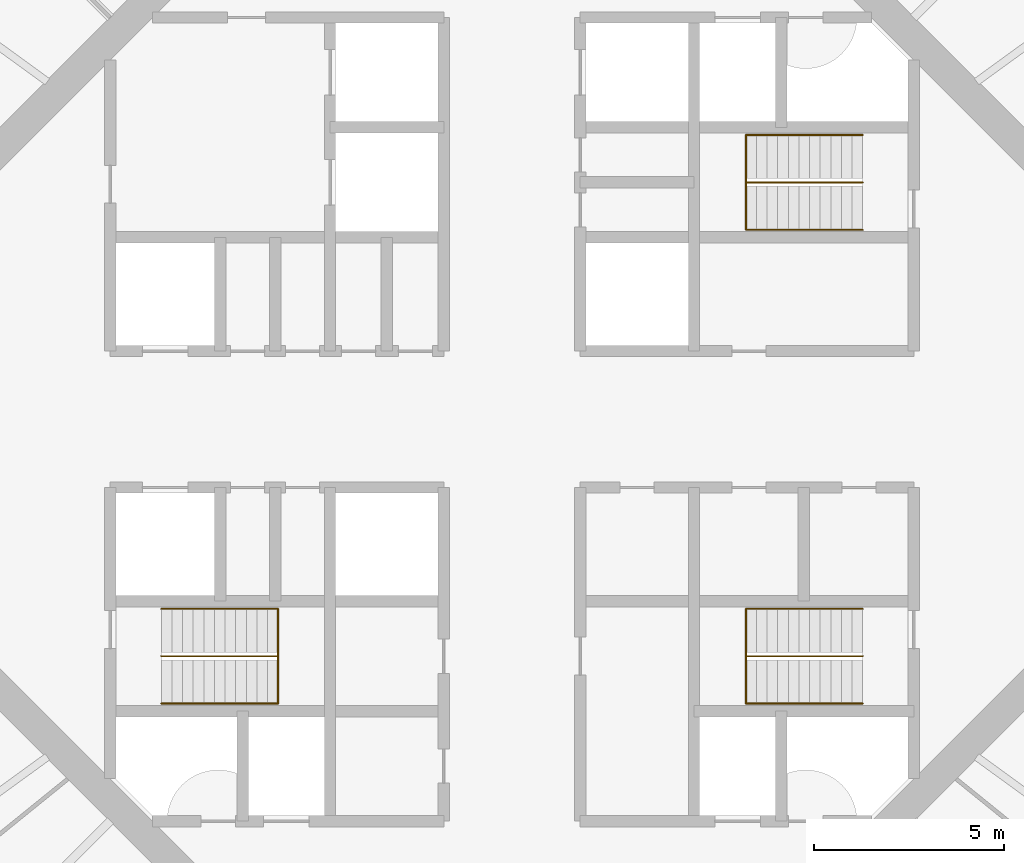
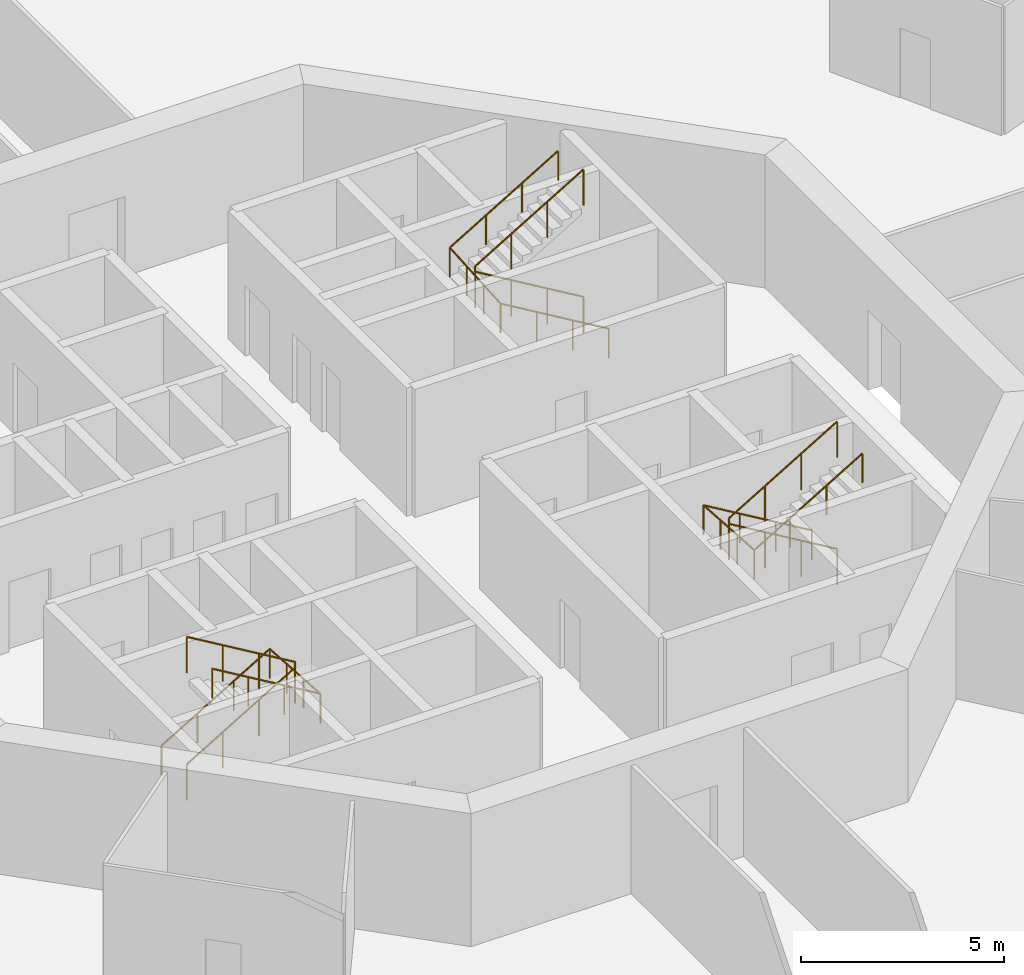
# One storey, part 16 of 16: 6 railings.
"""IFC4 building model written with IfcOpenShell, lengths in metres."""

from ifc_helpers import new_model, si_unit, direction, frame, origin, origin_2d, place, context, subcontext, project, spatial, circle, extrude, material, type_object, element, save


model = new_model("IFC4")

# Units and contexts
model_context = context("Model", 3, precision=1e-05, world=origin(), true_north=direction((0.0, 1.0)))
body_context = subcontext(model_context, "Body", "Model", "MODEL_VIEW")
ifc_project = project(units=[si_unit("LENGTHUNIT", "METRE"), si_unit("AREAUNIT", "SQUARE_METRE"), si_unit("VOLUMEUNIT", "CUBIC_METRE"), si_unit("PLANEANGLEUNIT", "RADIAN"), si_unit("MASSUNIT", "GRAM", prefix="KILO")], contexts=[model_context])

# Site, building, storey
site_placement = place(None, origin())
site = spatial("IfcSite", under=ifc_project, at=site_placement, CompositionType="ELEMENT")
building_placement = place(site_placement, origin())
building = spatial("IfcBuilding", under=site, at=building_placement, Name="Entoto Ring Tower", CompositionType="ELEMENT")
storey_placement = place(building_placement, frame((0.0, 0.0, 326.0)))
storey = spatial("IfcBuildingStorey", under=building, at=storey_placement, Name="L75", CompositionType="ELEMENT", Elevation=326.0)

# Railings
ifc_material_1 = material(Name="Steel S275", Category="steel")
railing_type_1 = type_object("IfcRailingType", Name="Stair guard 1100 mm steel", PredefinedType="GUARDRAIL", material=ifc_material_1)
railing_1_placement = place(storey_placement, frame((99.25, 86.25, 0.166748046875)))
element("IfcRailing", 1, at=railing_1_placement, inside=storey, type_object=railing_type_1, Name="Guard ST1", PredefinedType="GUARDRAIL", context=body_context, shape_type="SweptSolid", body=[
    extrude(circle(Radius=0.02392578125, at=origin_2d()), frame((0.0, 0.0, 1.076171875), z_axis=(-0.859308565015, 0.0, 0.511457515432), x_axis=(0.0, -1.0, 0.0)), (0.0, 0.0, 1.0), 3.58447265625),
    extrude(circle(Radius=0.02392578125, at=origin_2d()), frame((-3.080078125, 0.0, 2.9091796875), z_axis=(0.0, 0.0, 1.0), x_axis=(1.0, 0.0, 0.0)), (0.0, 0.0, 1.0), 0.166748046875),
    extrude(circle(Radius=0.02392578125, at=origin_2d()), frame((-3.080078125, 0.0, 3.076171875), z_axis=(0.859308565015, 0.0, 0.511457515432), x_axis=(0.0, 1.0, 0.0)), (0.0, 0.0, 1.0), 3.58447265625),
    extrude(circle(Radius=0.02099609375, at=origin_2d()), origin(), (0.0, 0.0, 1.0), 1.052001953125),
    extrude(circle(Radius=0.02099609375, at=origin_2d()), frame((-1.026611328125, 0.0, 0.611083984375)), (0.0, 0.0, 1.0), 1.052001953125),
    extrude(circle(Radius=0.02099609375, at=origin_2d()), frame((-2.053466796875, 0.0, 1.22216796875)), (0.0, 0.0, 1.0), 1.052001953125),
    extrude(circle(Radius=0.02099609375, at=origin_2d()), frame((-3.080078125, 0.0, 1.833251953125)), (0.0, 0.0, 1.0), 1.052001953125),
    extrude(circle(Radius=0.02099609375, at=origin_2d()), frame((-3.080078125, 0.0, 2.0)), (0.0, 0.0, 1.0), 1.052001953125),
    extrude(circle(Radius=0.02099609375, at=origin_2d()), frame((-2.053466796875, 0.0, 2.611083984375)), (0.0, 0.0, 1.0), 1.052001953125),
    extrude(circle(Radius=0.02099609375, at=origin_2d()), frame((-1.026611328125, 0.0, 3.22216796875)), (0.0, 0.0, 1.0), 1.052001953125),
    extrude(circle(Radius=0.02099609375, at=origin_2d()), frame((0.0, 0.0, 3.833251953125)), (0.0, 0.0, 1.0), 1.052001953125),
])
railing_2_placement = place(storey_placement, frame((80.75, 73.75, 0.166748046875)))
element("IfcRailing", 2, at=railing_2_placement, inside=storey, type_object=railing_type_1, Name="Guard ST2", PredefinedType="GUARDRAIL", context=body_context, shape_type="SweptSolid", body=[
    extrude(circle(Radius=0.02392578125, at=origin_2d()), frame((0.0, 0.0, 1.076171875), z_axis=(0.859308565015, 0.0, 0.511457515432), x_axis=(0.0, 1.0, 0.0)), (0.0, 0.0, 1.0), 3.58447265625),
    extrude(circle(Radius=0.02392578125, at=origin_2d()), frame((3.080078125, 0.0, 2.9091796875), z_axis=(0.0, 0.0, 1.0), x_axis=(1.0, 0.0, 0.0)), (0.0, 0.0, 1.0), 0.166748046875),
    extrude(circle(Radius=0.02392578125, at=origin_2d()), frame((3.080078125, 0.0, 3.076171875), z_axis=(-0.859308565015, 0.0, 0.511457515432), x_axis=(0.0, -1.0, 0.0)), (0.0, 0.0, 1.0), 3.58447265625),
    extrude(circle(Radius=0.02099609375, at=origin_2d()), origin(), (0.0, 0.0, 1.0), 1.052001953125),
    extrude(circle(Radius=0.02099609375, at=origin_2d()), frame((1.026611328125, 0.0, 0.611083984375)), (0.0, 0.0, 1.0), 1.052001953125),
    extrude(circle(Radius=0.02099609375, at=origin_2d()), frame((2.053466796875, 0.0, 1.22216796875)), (0.0, 0.0, 1.0), 1.052001953125),
    extrude(circle(Radius=0.02099609375, at=origin_2d()), frame((3.080078125, 0.0, 1.833251953125)), (0.0, 0.0, 1.0), 1.052001953125),
    extrude(circle(Radius=0.02099609375, at=origin_2d()), frame((3.080078125, 0.0, 2.0)), (0.0, 0.0, 1.0), 1.052001953125),
    extrude(circle(Radius=0.02099609375, at=origin_2d()), frame((2.053466796875, 0.0, 2.611083984375)), (0.0, 0.0, 1.0), 1.052001953125),
    extrude(circle(Radius=0.02099609375, at=origin_2d()), frame((1.026611328125, 0.0, 3.22216796875)), (0.0, 0.0, 1.0), 1.052001953125),
    extrude(circle(Radius=0.02099609375, at=origin_2d()), frame((0.0, 0.0, 3.833251953125)), (0.0, 0.0, 1.0), 1.052001953125),
])
railing_3_placement = place(storey_placement, frame((99.25, 73.75, 0.166748046875)))
element("IfcRailing", 3, at=railing_3_placement, inside=storey, type_object=railing_type_1, Name="Guard ST3", PredefinedType="GUARDRAIL", context=body_context, shape_type="SweptSolid", body=[
    extrude(circle(Radius=0.02392578125, at=origin_2d()), frame((0.0, 0.0, 1.076171875), z_axis=(-0.859308565015, 0.0, 0.511457515432), x_axis=(0.0, -1.0, 0.0)), (0.0, 0.0, 1.0), 3.58447265625),
    extrude(circle(Radius=0.02392578125, at=origin_2d()), frame((-3.080078125, 0.0, 2.9091796875), z_axis=(0.0, 0.0, 1.0), x_axis=(1.0, 0.0, 0.0)), (0.0, 0.0, 1.0), 0.166748046875),
    extrude(circle(Radius=0.02392578125, at=origin_2d()), frame((-3.080078125, 0.0, 3.076171875), z_axis=(0.859308565015, 0.0, 0.511457515432), x_axis=(0.0, 1.0, 0.0)), (0.0, 0.0, 1.0), 3.58447265625),
    extrude(circle(Radius=0.02099609375, at=origin_2d()), origin(), (0.0, 0.0, 1.0), 1.052001953125),
    extrude(circle(Radius=0.02099609375, at=origin_2d()), frame((-1.026611328125, 0.0, 0.611083984375)), (0.0, 0.0, 1.0), 1.052001953125),
    extrude(circle(Radius=0.02099609375, at=origin_2d()), frame((-2.053466796875, 0.0, 1.22216796875)), (0.0, 0.0, 1.0), 1.052001953125),
    extrude(circle(Radius=0.02099609375, at=origin_2d()), frame((-3.080078125, 0.0, 1.833251953125)), (0.0, 0.0, 1.0), 1.052001953125),
    extrude(circle(Radius=0.02099609375, at=origin_2d()), frame((-3.080078125, 0.0, 2.0)), (0.0, 0.0, 1.0), 1.052001953125),
    extrude(circle(Radius=0.02099609375, at=origin_2d()), frame((-2.053466796875, 0.0, 2.611083984375)), (0.0, 0.0, 1.0), 1.052001953125),
    extrude(circle(Radius=0.02099609375, at=origin_2d()), frame((-1.026611328125, 0.0, 3.22216796875)), (0.0, 0.0, 1.0), 1.052001953125),
    extrude(circle(Radius=0.02099609375, at=origin_2d()), frame((0.0, 0.0, 3.833251953125)), (0.0, 0.0, 1.0), 1.052001953125),
])
ifc_material_2 = material(Name="Steel S275", Category="steel")
railing_type_2 = type_object("IfcRailingType", Name="Stair handrail 900 mm steel", PredefinedType="HANDRAIL", material=ifc_material_2)
railing_4_placement = place(storey_placement, frame((99.25, 85.0, 0.166748046875)))
element("IfcRailing", 4, at=railing_4_placement, inside=storey, type_object=railing_type_2, Name="Handrail ST1", PredefinedType="HANDRAIL", context=body_context, shape_type="SweptSolid", body=[
    extrude(circle(Radius=0.02392578125, at=origin_2d()), frame((0.0, 0.0, 0.8759765625), z_axis=(-0.859308565015, 0.0, 0.511457515432), x_axis=(0.0, -1.0, 0.0)), (0.0, 0.0, 1.0), 3.58447265625),
    extrude(circle(Radius=0.02392578125, at=origin_2d()), frame((-3.080078125, 0.0, 2.708984375), z_axis=(0.0, 0.997783001586, 0.066551346688), x_axis=(-1.0, 0.0, 0.0)), (0.0, 0.0, 1.0), 2.505615234375),
    extrude(circle(Radius=0.02392578125, at=origin_2d()), frame((-3.080078125, 2.5, 2.8759765625), z_axis=(0.859308565015, 0.0, 0.511457515432), x_axis=(0.0, 1.0, 0.0)), (0.0, 0.0, 1.0), 3.58447265625),
    extrude(circle(Radius=0.02099609375, at=origin_2d()), origin(), (0.0, 0.0, 1.0), 0.851806640625),
    extrude(circle(Radius=0.02099609375, at=origin_2d()), frame((-1.026611328125, 0.0, 0.611083984375)), (0.0, 0.0, 1.0), 0.851806640625),
    extrude(circle(Radius=0.02099609375, at=origin_2d()), frame((-2.053466796875, 0.0, 1.22216796875)), (0.0, 0.0, 1.0), 0.851806640625),
    extrude(circle(Radius=0.02099609375, at=origin_2d()), frame((-3.080078125, 0.0, 1.833251953125)), (0.0, 0.0, 1.0), 0.851806640625),
    extrude(circle(Radius=0.02099609375, at=origin_2d()), frame((-3.080078125, 0.833251953125, 1.888916015625)), (0.0, 0.0, 1.0), 0.851806640625),
    extrude(circle(Radius=0.02099609375, at=origin_2d()), frame((-3.080078125, 1.666748046875, 1.9443359375)), (0.0, 0.0, 1.0), 0.851806640625),
    extrude(circle(Radius=0.02099609375, at=origin_2d()), frame((-3.080078125, 2.5, 2.0)), (0.0, 0.0, 1.0), 0.851806640625),
    extrude(circle(Radius=0.02099609375, at=origin_2d()), frame((-2.053466796875, 2.5, 2.611083984375)), (0.0, 0.0, 1.0), 0.851806640625),
    extrude(circle(Radius=0.02099609375, at=origin_2d()), frame((-1.026611328125, 2.5, 3.22216796875)), (0.0, 0.0, 1.0), 0.851806640625),
    extrude(circle(Radius=0.02099609375, at=origin_2d()), frame((0.0, 2.5, 3.833251953125)), (0.0, 0.0, 1.0), 0.851806640625),
])
railing_5_placement = place(storey_placement, frame((80.75, 75.0, 0.166748046875)))
element("IfcRailing", 5, at=railing_5_placement, inside=storey, type_object=railing_type_2, Name="Handrail ST2", PredefinedType="HANDRAIL", context=body_context, shape_type="SweptSolid", body=[
    extrude(circle(Radius=0.02392578125, at=origin_2d()), frame((0.0, 0.0, 0.8759765625), z_axis=(0.859308565015, 0.0, 0.511457515432), x_axis=(0.0, 1.0, 0.0)), (0.0, 0.0, 1.0), 3.58447265625),
    extrude(circle(Radius=0.02392578125, at=origin_2d()), frame((3.080078125, 0.0, 2.708984375), z_axis=(0.0, -0.997783001586, 0.066551346688), x_axis=(1.0, 0.0, 0.0)), (0.0, 0.0, 1.0), 2.505615234375),
    extrude(circle(Radius=0.02392578125, at=origin_2d()), frame((3.080078125, -2.5, 2.8759765625), z_axis=(-0.859308565015, 0.0, 0.511457515432), x_axis=(0.0, -1.0, 0.0)), (0.0, 0.0, 1.0), 3.58447265625),
    extrude(circle(Radius=0.02099609375, at=origin_2d()), origin(), (0.0, 0.0, 1.0), 0.851806640625),
    extrude(circle(Radius=0.02099609375, at=origin_2d()), frame((1.026611328125, 0.0, 0.611083984375)), (0.0, 0.0, 1.0), 0.851806640625),
    extrude(circle(Radius=0.02099609375, at=origin_2d()), frame((2.053466796875, 0.0, 1.22216796875)), (0.0, 0.0, 1.0), 0.851806640625),
    extrude(circle(Radius=0.02099609375, at=origin_2d()), frame((3.080078125, 0.0, 1.833251953125)), (0.0, 0.0, 1.0), 0.851806640625),
    extrude(circle(Radius=0.02099609375, at=origin_2d()), frame((3.080078125, -0.833251953125, 1.888916015625)), (0.0, 0.0, 1.0), 0.851806640625),
    extrude(circle(Radius=0.02099609375, at=origin_2d()), frame((3.080078125, -1.666748046875, 1.9443359375)), (0.0, 0.0, 1.0), 0.851806640625),
    extrude(circle(Radius=0.02099609375, at=origin_2d()), frame((3.080078125, -2.5, 2.0)), (0.0, 0.0, 1.0), 0.851806640625),
    extrude(circle(Radius=0.02099609375, at=origin_2d()), frame((2.053466796875, -2.5, 2.611083984375)), (0.0, 0.0, 1.0), 0.851806640625),
    extrude(circle(Radius=0.02099609375, at=origin_2d()), frame((1.026611328125, -2.5, 3.22216796875)), (0.0, 0.0, 1.0), 0.851806640625),
    extrude(circle(Radius=0.02099609375, at=origin_2d()), frame((0.0, -2.5, 3.833251953125)), (0.0, 0.0, 1.0), 0.851806640625),
])
railing_6_placement = place(storey_placement, frame((99.25, 75.0, 0.166748046875)))
element("IfcRailing", 6, at=railing_6_placement, inside=storey, type_object=railing_type_2, Name="Handrail ST3", PredefinedType="HANDRAIL", context=body_context, shape_type="SweptSolid", body=[
    extrude(circle(Radius=0.02392578125, at=origin_2d()), frame((0.0, 0.0, 0.8759765625), z_axis=(-0.859308565015, 0.0, 0.511457515432), x_axis=(0.0, -1.0, 0.0)), (0.0, 0.0, 1.0), 3.58447265625),
    extrude(circle(Radius=0.02392578125, at=origin_2d()), frame((-3.080078125, 0.0, 2.708984375), z_axis=(0.0, -0.997783001586, 0.066551346688), x_axis=(1.0, 0.0, 0.0)), (0.0, 0.0, 1.0), 2.505615234375),
    extrude(circle(Radius=0.02392578125, at=origin_2d()), frame((-3.080078125, -2.5, 2.8759765625), z_axis=(0.859308565015, 0.0, 0.511457515432), x_axis=(0.0, 1.0, 0.0)), (0.0, 0.0, 1.0), 3.58447265625),
    extrude(circle(Radius=0.02099609375, at=origin_2d()), origin(), (0.0, 0.0, 1.0), 0.851806640625),
    extrude(circle(Radius=0.02099609375, at=origin_2d()), frame((-1.026611328125, 0.0, 0.611083984375)), (0.0, 0.0, 1.0), 0.851806640625),
    extrude(circle(Radius=0.02099609375, at=origin_2d()), frame((-2.053466796875, 0.0, 1.22216796875)), (0.0, 0.0, 1.0), 0.851806640625),
    extrude(circle(Radius=0.02099609375, at=origin_2d()), frame((-3.080078125, 0.0, 1.833251953125)), (0.0, 0.0, 1.0), 0.851806640625),
    extrude(circle(Radius=0.02099609375, at=origin_2d()), frame((-3.080078125, -0.833251953125, 1.888916015625)), (0.0, 0.0, 1.0), 0.851806640625),
    extrude(circle(Radius=0.02099609375, at=origin_2d()), frame((-3.080078125, -1.666748046875, 1.9443359375)), (0.0, 0.0, 1.0), 0.851806640625),
    extrude(circle(Radius=0.02099609375, at=origin_2d()), frame((-3.080078125, -2.5, 2.0)), (0.0, 0.0, 1.0), 0.851806640625),
    extrude(circle(Radius=0.02099609375, at=origin_2d()), frame((-2.053466796875, -2.5, 2.611083984375)), (0.0, 0.0, 1.0), 0.851806640625),
    extrude(circle(Radius=0.02099609375, at=origin_2d()), frame((-1.026611328125, -2.5, 3.22216796875)), (0.0, 0.0, 1.0), 0.851806640625),
    extrude(circle(Radius=0.02099609375, at=origin_2d()), frame((0.0, -2.5, 3.833251953125)), (0.0, 0.0, 1.0), 0.851806640625),
])

save(model, "model.ifc")
